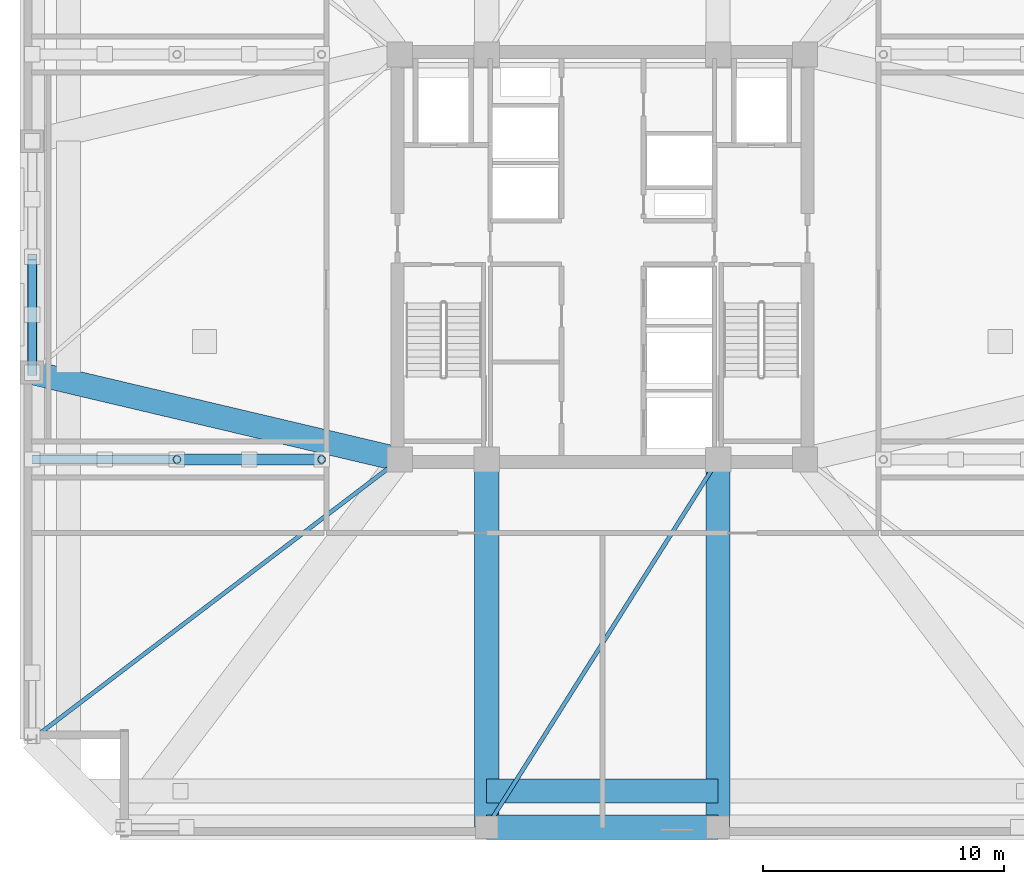
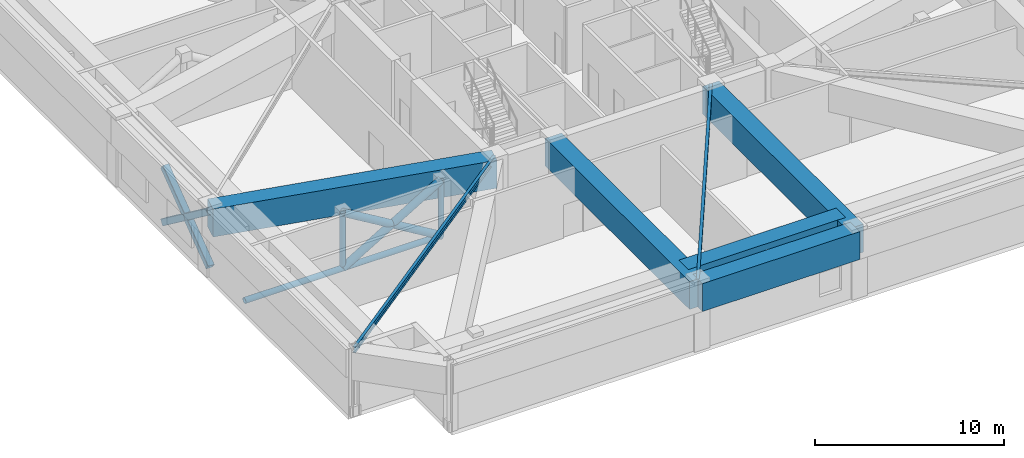
# One storey, part 2 of 13: 9 members, 7 beams.
"""IFC4 building model written with IfcOpenShell, lengths in metres."""

from ifc_helpers import new_model, si_unit, direction, frame, origin, origin_2d, place, context, subcontext, project, spatial, rectangle, hollow_rectangle, hollow_circle, i_section, extrude, material, material_profile, profile_set, type_object, element, save


model = new_model("IFC4")

# Units and contexts
model_context = context("Model", 3, precision=1e-05, world=origin(), true_north=direction((0.0, 1.0)))
body_context = subcontext(model_context, "Body", "Model", "MODEL_VIEW")
ifc_project = project(units=[si_unit("LENGTHUNIT", "METRE"), si_unit("AREAUNIT", "SQUARE_METRE"), si_unit("VOLUMEUNIT", "CUBIC_METRE"), si_unit("PLANEANGLEUNIT", "RADIAN"), si_unit("MASSUNIT", "GRAM", prefix="KILO")], contexts=[model_context])

# Site, building, storey
site_placement = place(None, origin())
site = spatial("IfcSite", under=ifc_project, at=site_placement, CompositionType="ELEMENT")
building_placement = place(site_placement, origin())
building = spatial("IfcBuilding", under=site, at=building_placement, Name="Cairnveth Concourse Tower", CompositionType="ELEMENT")
storey_placement = place(building_placement, frame((0.0, 0.0, 193.5)))
storey = spatial("IfcBuildingStorey", under=building, at=storey_placement, Name="L53", CompositionType="ELEMENT", Elevation=193.5)

# Members
ifc_material_1 = material(Name="Steel C350L0 (350 MPa)", Category="steel")
ifc_material_profile_1 = material_profile(ifc_material_1, hollow_circle(Radius=0.177734375, WallThickness=0.01611328125, at=origin_2d()), Name="355.6x16.0CHS")
ifc_profile_set_1 = profile_set([ifc_material_profile_1], Name="Steel C350L0 (350 MPa)")
member_type_1 = type_object("IfcMemberType", Name="BELT TRUSS CHORD 355.6X16CHS", PredefinedType="CHORD", material=ifc_profile_set_1)
member_1_placement = place(storey_placement, frame((28.35009765625, 30.60009765625, 0.25), z_axis=(1.0, 0.0, 0.0), x_axis=(0.0, 1.0, 0.0)))
element("IfcMember", 1, at=member_1_placement, inside=storey, type_object=member_type_1, Name="Structural Brace OUT-OW1A-CH L53", PredefinedType="CHORD", context=body_context, shape_type="SweptSolid", body=[
    extrude(hollow_circle(Radius=0.177734375, WallThickness=0.01611328125, at=origin_2d()), origin(), (0.0, 0.0, 1.0), 12.0),
])
ifc_material_profile_2 = material_profile(ifc_material_1, hollow_rectangle(XDim=0.39990234375, YDim=0.39990234375, WallThickness=0.01611328125, InnerFilletRadius=0.01611328125, OuterFilletRadius=0.031982421875, at=origin_2d()), Name="400x400x16.0SHS")
ifc_profile_set_2 = profile_set([ifc_material_profile_2], Name="Steel C350L0 (350 MPa)")
member_type_2 = type_object("IfcMemberType", Name="BELT TRUSS DIAGONAL 400X400X16SHS", PredefinedType="BRACE", material=ifc_profile_set_2)
member_2_placement = place(storey_placement, frame((28.35009765625, 34.199951171875, 0.25), z_axis=(0.0, 0.800795977004, 0.598937228109), x_axis=(-1.0, 0.0, 0.0)))
element("IfcMember", 2, at=member_2_placement, inside=storey, type_object=member_type_2, Name="Structural Brace BLT-BW1A L53", PredefinedType="BRACE", context=body_context, shape_type="SweptSolid", body=[
    extrude(hollow_rectangle(XDim=0.39990234375, YDim=0.39990234375, WallThickness=0.01611328125, InnerFilletRadius=0.01611328125, OuterFilletRadius=0.031982421875, at=origin_2d()), origin(), (0.0, 0.0, 1.0), 5.994140625),
])
for number, where, z_axis, x_axis, name in (
    (3, (28.35009765625, 39.0, 0.25), (0.0, -0.800814731391, 0.598912152145), (1.0, 0.0, 0.0), "Structural Brace BLT-BW1B1 L53"),
    (4, (28.35009765625, 36.587890625, 2.053955078125), (0.0, -0.800775463126, 0.598964654763), (1.0, 0.0, 0.0), "Structural Brace BLT-BW1B2 L53"),
):
    element("IfcMember", number, at=place(storey_placement, frame(where, z_axis=z_axis, x_axis=x_axis)), inside=storey, type_object=member_type_2, Name=name, PredefinedType="BRACE", context=body_context, shape_type="SweptSolid", body=[
        extrude(hollow_rectangle(XDim=0.39990234375, YDim=0.39990234375, WallThickness=0.01611328125, InnerFilletRadius=0.01611328125, OuterFilletRadius=0.031982421875, at=origin_2d()), origin(), (0.0, 0.0, 1.0), 2.98193359375),
    ])

# Beams
ifc_material_2 = material(Name="Concrete N65 (65 MPa)", Category="concrete")
ifc_material_profile_3 = material_profile(ifc_material_2, rectangle(XDim=1.0, YDim=1.800048828125, at=origin_2d()), Name="RC-TB-1000x1800")
ifc_profile_set_3 = profile_set([ifc_material_profile_3], Name="Concrete N65 (65 MPa)")
beam_type_1 = type_object("IfcBeamType", Name="CONCRETE TRANSFER GIRDER 1000X1800", PredefinedType="BEAM", material=ifc_profile_set_3)
beam_1_placement = place(storey_placement, frame((47.199951171875, 15.35009765625, 3.389892578125), z_axis=(1.0, 0.0, 0.0), x_axis=(0.0, 1.0, 0.0)))
element("IfcBeam", 5, at=beam_1_placement, inside=storey, type_object=beam_type_1, Name="Beam SP-S2 L53", PredefinedType="BEAM", context=body_context, shape_type="SweptSolid", body=[
    extrude(rectangle(XDim=1.0, YDim=1.800048828125, at=origin_2d()), origin(), (0.0, 0.0, 1.0), 9.60009765625),
])
for number, where, z_axis, x_axis, name in (
    (6, (47.199951171875, 15.35009765625, 3.389892578125), (0.0, 1.0, 0.0), (-1.0, 0.0, 0.0), "Beam RG-S1 L53"),
    (7, (56.800048828125, 15.35009765625, 3.389892578125), (0.0, 1.0, 0.0), (-1.0, 0.0, 0.0), "Beam RG-S2 L53"),
):
    element("IfcBeam", number, at=place(storey_placement, frame(where, z_axis=z_axis, x_axis=x_axis)), inside=storey, type_object=beam_type_1, Name=name, PredefinedType="BEAM", context=body_context, shape_type="SweptSolid", body=[
        extrude(rectangle(XDim=1.0, YDim=1.800048828125, at=origin_2d()), origin(), (0.0, 0.0, 1.0), 15.25),
    ])
beam_2_placement = place(storey_placement, frame((28.35009765625, 34.199951171875, 3.389892578125), z_axis=(0.973251602929, -0.229741849468, 0.0), x_axis=(0.229741849468, 0.973251602929, 0.0)))
element("IfcBeam", 8, at=beam_2_placement, inside=storey, type_object=beam_type_1, Name="Beam RG-W1 L53", PredefinedType="BEAM", context=body_context, shape_type="SweptSolid", body=[
    extrude(rectangle(XDim=1.0, YDim=1.800048828125, at=origin_2d()), origin(), (0.0, 0.0, 1.0), 15.669189453125),
])
beam_3_placement = place(storey_placement, frame((47.199951171875, 16.85009765625, 3.389892578125), z_axis=(1.0, 0.0, 0.0), x_axis=(0.0, 1.0, 0.0)))
element("IfcBeam", 9, at=beam_3_placement, inside=storey, type_object=beam_type_1, Name="Beam STG-S2 L53", PredefinedType="BEAM", context=body_context, shape_type="SweptSolid", body=[
    extrude(rectangle(XDim=1.0, YDim=1.800048828125, at=origin_2d()), origin(), (0.0, 0.0, 1.0), 9.60009765625),
])

# Members
ifc_material_profile_4 = material_profile(ifc_material_1, hollow_circle(Radius=0.228515625, WallThickness=0.01611328125, at=origin_2d()), Name="457.0x16.0CHS")
ifc_profile_set_4 = profile_set([ifc_material_profile_4], Name="Steel C350L0 (350 MPa)")
member_type_3 = type_object("IfcMemberType", Name="OUTRIGGER DIAGONAL 457X16CHS", PredefinedType="BRACE", material=ifc_profile_set_4)
member_3_placement = place(storey_placement, frame((34.35009765625, 30.60009765625, 0.25), z_axis=(0.858117715439, 0.0, 0.513453003155), x_axis=(0.0, 1.0, 0.0)))
element("IfcMember", 10, at=member_3_placement, inside=storey, type_object=member_type_3, Name="Structural Brace OUT-OW1A-P2A L53", PredefinedType="BRACE", context=body_context, shape_type="SweptSolid", body=[
    extrude(hollow_circle(Radius=0.228515625, WallThickness=0.01611328125, at=origin_2d()), origin(), (0.0, 0.0, 1.0), 6.991943359375),
])
member_4_placement = place(storey_placement, frame((34.35009765625, 30.60009765625, 3.840087890625), z_axis=(0.858111150446, 0.0, -0.51346397486), x_axis=(0.0, 1.0, 0.0)))
element("IfcMember", 11, at=member_4_placement, inside=storey, type_object=member_type_3, Name="Structural Brace OUT-OW1A-P2B1 L53", PredefinedType="BRACE", context=body_context, shape_type="SweptSolid", body=[
    extrude(hollow_circle(Radius=0.228515625, WallThickness=0.01611328125, at=origin_2d()), origin(), (0.0, 0.0, 1.0), 3.48095703125),
])
member_5_placement = place(storey_placement, frame((37.36279296875, 30.60009765625, 2.037353515625), z_axis=(0.85812963974, 0.0, -0.513433073924), x_axis=(0.0, 1.0, 0.0)))
element("IfcMember", 12, at=member_5_placement, inside=storey, type_object=member_type_3, Name="Structural Brace OUT-OW1A-P2B2 L53", PredefinedType="BRACE", context=body_context, shape_type="SweptSolid", body=[
    extrude(hollow_circle(Radius=0.228515625, WallThickness=0.01611328125, at=origin_2d()), origin(), (0.0, 0.0, 1.0), 3.481201171875),
])
ifc_material_profile_5 = material_profile(ifc_material_1, hollow_circle(Radius=0.161865234375, WallThickness=0.0126953125, at=origin_2d()), Name="323.9x12.7CHS")
ifc_profile_set_5 = profile_set([ifc_material_profile_5], Name="Steel C350L0 (350 MPa)")
member_type_4 = type_object("IfcMemberType", Name="OUTRIGGER KING STRUT 323.9X12.7CHS", PredefinedType="STRUT", material=ifc_profile_set_5)
for number, where, z_axis, x_axis, name in (
    (13, (34.35009765625, 30.60009765625, 0.25), (0.0, 0.0, 1.0), (1.0, 0.0, 0.0), "Structural Brace OUT-OW1A-SR L53"),
    (14, (40.35009765625, 30.60009765625, 0.25), (0.0, 0.0, 1.0), (1.0, 0.0, 0.0), "Structural Brace OUT-OW1A-SRE L53"),
):
    element("IfcMember", number, at=place(storey_placement, frame(where, z_axis=z_axis, x_axis=x_axis)), inside=storey, type_object=member_type_4, Name=name, PredefinedType="STRUT", context=body_context, shape_type="SweptSolid", body=[
        extrude(hollow_circle(Radius=0.161865234375, WallThickness=0.0126953125, at=origin_2d()), origin(), (0.0, 0.0, 1.0), 3.590087890625),
    ])

# Beams
ifc_material_3 = material(Name="Steel Grade 350", Category="steel")
ifc_material_profile_6 = material_profile(ifc_material_3, i_section(OverallWidth=0.172119140625, OverallDepth=0.35888671875, WebThickness=0.008056640625, FlangeThickness=0.012939453125, FilletRadius=0.010986328125, at=origin_2d()), Name="360UB56.7")
ifc_profile_set_6 = profile_set([ifc_material_profile_6], Name="Steel Grade 350")
beam_type_2 = type_object("IfcBeamType", Name="ZONE 2 FLOOR JOIST 360UB56.7", PredefinedType="JOIST", material=ifc_profile_set_6)
beam_4_placement = place(storey_placement, frame((28.35009765625, 19.0, 4.110595703125), z_axis=(0.795908242904, 0.6054172684, 0.0), x_axis=(-0.6054172684, 0.795908242904, 0.0)))
element("IfcBeam", 15, at=beam_4_placement, inside=storey, type_object=beam_type_2, Name="Beam FJ-CSW2 L53", PredefinedType="JOIST", context=body_context, shape_type="SweptSolid", body=[
    extrude(i_section(OverallWidth=0.172119140625, OverallDepth=0.35888671875, WebThickness=0.008056640625, FlangeThickness=0.012939453125, FilletRadius=0.010986328125, at=origin_2d()), origin(), (0.0, 0.0, 1.0), 19.160400390625),
])
beam_5_placement = place(storey_placement, frame((47.199951171875, 15.35009765625, 4.110595703125), z_axis=(0.532743557037, 0.84627672923, 0.0), x_axis=(-0.84627672923, 0.532743557037, 0.0)))
element("IfcBeam", 16, at=beam_5_placement, inside=storey, type_object=beam_type_2, Name="Beam FJ-S-M1 L53", PredefinedType="JOIST", context=body_context, shape_type="SweptSolid", body=[
    extrude(i_section(OverallWidth=0.172119140625, OverallDepth=0.35888671875, WebThickness=0.008056640625, FlangeThickness=0.012939453125, FilletRadius=0.010986328125, at=origin_2d()), origin(), (0.0, 0.0, 1.0), 18.02001953125),
])

save(model, "model.ifc")
